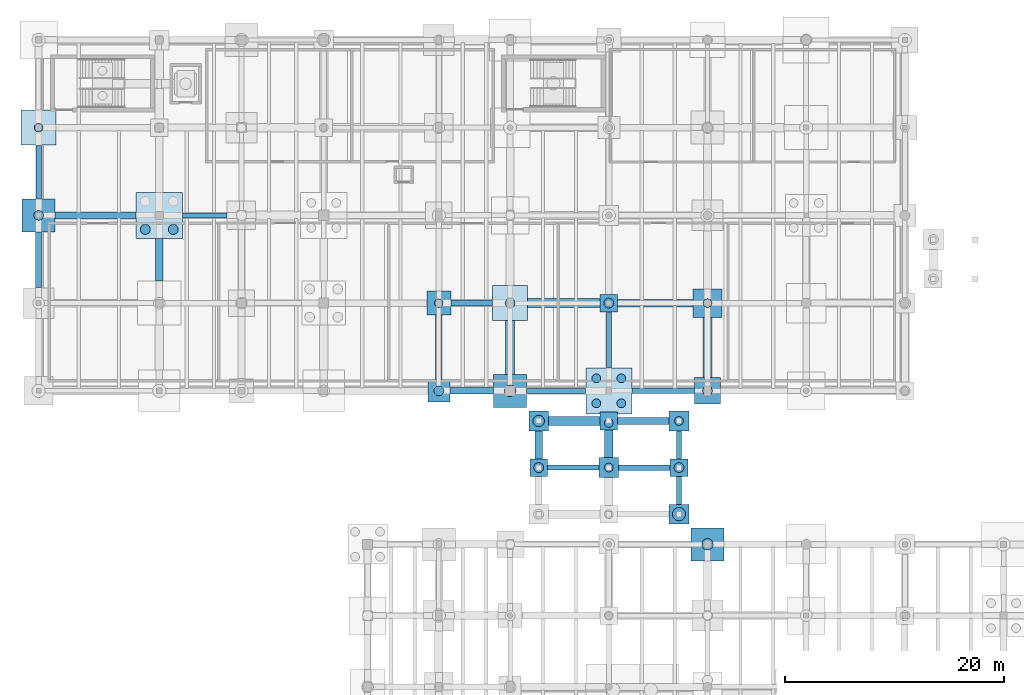
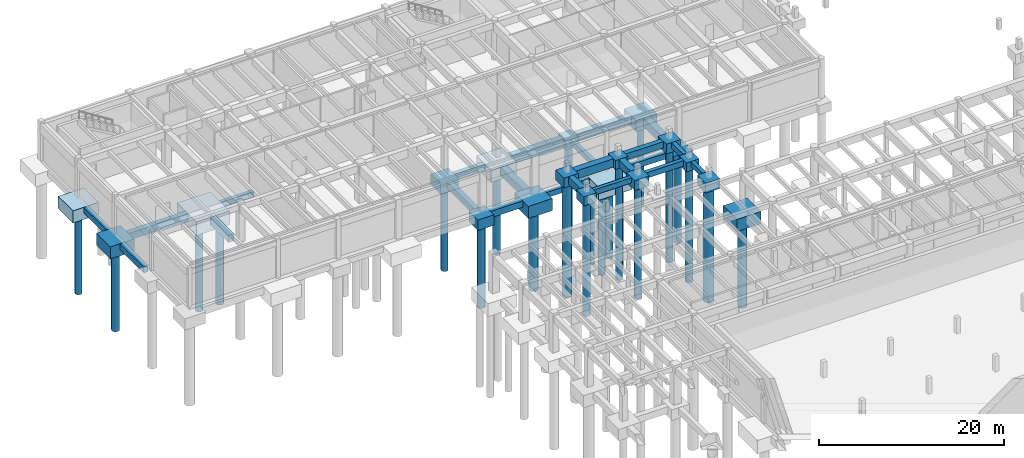
# One storey, part 8 of 36: 42 footings, 23 piles.
"""IFC4 building model written with IfcOpenShell, lengths in metres."""

from ifc_helpers import new_model, si_unit, direction, frame, origin, origin_2d, place, context, subcontext, project, spatial, polyline, circle, outline, extrude, material, material_profile, profile_set, type_object, element, save


model = new_model("IFC4")

# Units and contexts
model_context = context("Model", 3, precision=1e-05, world=origin(), true_north=direction((0.0, 1.0)))
body_context = subcontext(model_context, "Body", "Model", "MODEL_VIEW")
ifc_project = project(units=[si_unit("LENGTHUNIT", "METRE"), si_unit("AREAUNIT", "SQUARE_METRE"), si_unit("VOLUMEUNIT", "CUBIC_METRE"), si_unit("PLANEANGLEUNIT", "RADIAN"), si_unit("MASSUNIT", "GRAM", prefix="KILO"), si_unit("THERMODYNAMICTEMPERATUREUNIT", "KELVIN"), si_unit("POWERUNIT", "WATT")], contexts=[model_context])

# Site, building, storey
site_placement = place(None, origin())
site = spatial("IfcSite", under=ifc_project, at=site_placement, CompositionType="ELEMENT")
building_placement = place(site_placement, origin())
building = spatial("IfcBuilding", under=site, at=building_placement, Name="Tepalcoro Natatorium and Aquatics Centre", CompositionType="ELEMENT")
storey_placement = place(building_placement, frame((0.0, 0.0, -5.199951171875)))
storey = spatial("IfcBuildingStorey", under=building, at=storey_placement, Name="B1", CompositionType="ELEMENT", Elevation=-5.199951171875)

# Footings
ifc_material = material(Name="Concrete C40/50 (fc 40 MPa)", Category="concrete")
footing_type_1 = type_object("IfcFootingType", Name="FB_450x700", PredefinedType="FOOTING_BEAM", material=ifc_material)
footing_1_placement = place(storey_placement, frame((0.0, 0.0, -1.16015625)))
element("IfcFooting", 1, at=footing_1_placement, inside=storey, type_object=footing_type_1, Name="V4 B1 Foundation Tie Beam X", PredefinedType="FOOTING_BEAM", context=body_context, shape_type="SweptSolid", body=[
    extrude(outline(polyline([(23.10498046875, 101.77490234375), (27.195068359375, 101.77490234375), (27.195068359375, 102.22509765625), (23.10498046875, 102.22509765625), (23.10498046875, 101.77490234375)])), origin(), (0.0, 0.0, 1.0), 0.7001953125),
])
footing_2_placement = place(storey_placement, frame((0.0, 0.0, -1.16015625)))
element("IfcFooting", 2, at=footing_2_placement, inside=storey, type_object=footing_type_1, Name="V4 B1 Foundation Tie Beam X", PredefinedType="FOOTING_BEAM", context=body_context, shape_type="SweptSolid", body=[
    extrude(outline(polyline([(54.5048828125, 85.77490234375), (59.89501953125, 85.77490234375), (59.89501953125, 86.22509765625), (54.5048828125, 86.22509765625), (54.5048828125, 85.77490234375)])), origin(), (0.0, 0.0, 1.0), 0.7001953125),
])
footing_3_placement = place(storey_placement, frame((0.0, 0.0, -1.16015625)))
element("IfcFooting", 3, at=footing_3_placement, inside=storey, type_object=footing_type_1, Name="V4 B1 Foundation Tie Beam Y", PredefinedType="FOOTING_BEAM", context=body_context, shape_type="SweptSolid", body=[
    extrude(outline(polyline([(62.22509765625, 88.10498046875), (62.22509765625, 93.195068359375), (61.77490234375, 93.195068359375), (61.77490234375, 88.10498046875), (62.22509765625, 88.10498046875)])), origin(), (0.0, 0.0, 1.0), 0.7001953125),
])
footing_4_placement = place(storey_placement, frame((0.0, 0.0, 2.75)))
element("IfcFooting", 4, at=footing_4_placement, inside=storey, type_object=footing_type_1, Name="V6NW B1 Foundation Tie Beam X", PredefinedType="FOOTING_BEAM", context=body_context, shape_type="SweptSolid", body=[
    extrude(outline(polyline([(56.405029296875, 78.77490234375), (61.094970703125, 78.77490234375), (61.094970703125, 79.22509765625), (56.405029296875, 79.22509765625), (56.405029296875, 78.77490234375)])), origin(), (0.0, 0.0, 1.0), 0.699951171875),
])
footing_5_placement = place(storey_placement, frame((0.0, 0.0, 2.75)))
element("IfcFooting", 5, at=footing_5_placement, inside=storey, type_object=footing_type_1, Name="V6NW B1 Foundation Tie Beam Y", PredefinedType="FOOTING_BEAM", context=body_context, shape_type="SweptSolid", body=[
    extrude(outline(polyline([(68.625, 75.655029296875), (68.625, 78.195068359375), (68.175048828125, 78.195068359375), (68.175048828125, 75.655029296875), (68.625, 75.655029296875)])), origin(), (0.0, 0.0, 1.0), 0.699951171875),
])
footing_type_2 = type_object("IfcFootingType", Name="FB_500x750", PredefinedType="FOOTING_BEAM", material=ifc_material)
footing_6_placement = place(storey_placement, frame((0.0, 0.0, -1.2099609375)))
element("IfcFooting", 6, at=footing_6_placement, inside=storey, type_object=footing_type_2, Name="V4 B1 Foundation Tie Beam X", PredefinedType="FOOTING_BEAM", context=body_context, shape_type="SweptSolid", body=[
    extrude(outline(polyline([(64.10498046875, 85.75), (69.794921875, 85.75), (69.794921875, 86.25), (64.10498046875, 86.25), (64.10498046875, 85.75)])), origin(), (0.0, 0.0, 1.0), 0.75),
])
footing_7_placement = place(storey_placement, frame((0.0, 0.0, -1.2099609375)))
element("IfcFooting", 7, at=footing_7_placement, inside=storey, type_object=footing_type_2, Name="V4 B1 Foundation Tie Beam Y", PredefinedType="FOOTING_BEAM", context=body_context, shape_type="SweptSolid", body=[
    extrude(outline(polyline([(10.25, 103.5048828125), (10.25, 108.39501953125), (9.75, 108.39501953125), (9.75, 103.5048828125), (10.25, 103.5048828125)])), origin(), (0.0, 0.0, 1.0), 0.75),
])
footing_8_placement = place(storey_placement, frame((0.0, 0.0, 2.699951171875)))
element("IfcFooting", 8, at=footing_8_placement, inside=storey, type_object=footing_type_2, Name="V6NW B1 Foundation Tie Beam X", PredefinedType="FOOTING_BEAM", context=body_context, shape_type="SweptSolid", body=[
    extrude(outline(polyline([(62.905029296875, 78.75), (67.594970703125, 78.75), (67.594970703125, 79.25), (62.905029296875, 79.25), (62.905029296875, 78.75)])), origin(), (0.0, 0.0, 1.0), 0.75),
])
footing_9_placement = place(storey_placement, frame((0.0, 0.0, 2.699951171875)))
element("IfcFooting", 9, at=footing_9_placement, inside=storey, type_object=footing_type_2, Name="V6NW B1 Foundation Tie Beam Y", PredefinedType="FOOTING_BEAM", context=body_context, shape_type="SweptSolid", body=[
    extrude(outline(polyline([(68.64990234375, 79.804931640625), (68.64990234375, 82.344970703125), (68.14990234375, 82.344970703125), (68.14990234375, 79.804931640625), (68.64990234375, 79.804931640625)])), origin(), (0.0, 0.0, 1.0), 0.75),
])
footing_type_3 = type_object("IfcFootingType", Name="FB_550x800", PredefinedType="FOOTING_BEAM", material=ifc_material)
footing_10_placement = place(storey_placement, frame((0.0, 0.0, -1.260009765625)))
element("IfcFooting", 10, at=footing_10_placement, inside=storey, type_object=footing_type_3, Name="V4 B1 Foundation Tie Beam X", PredefinedType="FOOTING_BEAM", context=body_context, shape_type="SweptSolid", body=[
    extrude(outline(polyline([(47.60498046875, 93.72509765625), (51.39501953125, 93.72509765625), (51.39501953125, 94.27490234375), (47.60498046875, 94.27490234375), (47.60498046875, 93.72509765625)])), origin(), (0.0, 0.0, 1.0), 0.800048828125),
])
footing_11_placement = place(storey_placement, frame((0.0, 0.0, -1.260009765625)))
element("IfcFooting", 11, at=footing_11_placement, inside=storey, type_object=footing_type_3, Name="V4 B1 Foundation Tie Beam Y", PredefinedType="FOOTING_BEAM", context=body_context, shape_type="SweptSolid", body=[
    extrude(outline(polyline([(10.27490234375, 95.405029296875), (10.27490234375, 100.4951171875), (9.72509765625, 100.4951171875), (9.72509765625, 95.405029296875), (10.27490234375, 95.405029296875)])), origin(), (0.0, 0.0, 1.0), 0.800048828125),
])
footing_type_4 = type_object("IfcFootingType", Name="FB_600x850", PredefinedType="FOOTING_BEAM", material=ifc_material)
footing_12_placement = place(storey_placement, frame((0.0, 0.0, -1.31005859375)))
element("IfcFooting", 12, at=footing_12_placement, inside=storey, type_object=footing_type_4, Name="V4 B1 Foundation Tie Beam X", PredefinedType="FOOTING_BEAM", context=body_context, shape_type="SweptSolid", body=[
    extrude(outline(polyline([(47.5048828125, 85.699951171875), (51.4951171875, 85.699951171875), (51.4951171875, 86.300048828125), (47.5048828125, 86.300048828125), (47.5048828125, 85.699951171875)])), origin(), (0.0, 0.0, 1.0), 0.85009765625),
])
footing_13_placement = place(storey_placement, frame((0.0, 0.0, -1.31005859375)))
element("IfcFooting", 13, at=footing_13_placement, inside=storey, type_object=footing_type_4, Name="V4 B1 Foundation Tie Beam Y", PredefinedType="FOOTING_BEAM", context=body_context, shape_type="SweptSolid", body=[
    extrude(outline(polyline([(46.800048828125, 87.0048828125), (46.800048828125, 92.89501953125), (46.199951171875, 92.89501953125), (46.199951171875, 87.0048828125), (46.800048828125, 87.0048828125)])), origin(), (0.0, 0.0, 1.0), 0.85009765625),
])
footing_14_placement = place(storey_placement, frame((0.0, 0.0, 2.599853515625)))
element("IfcFooting", 14, at=footing_14_placement, inside=storey, type_object=footing_type_4, Name="V6NW B1 Foundation Tie Beam X", PredefinedType="FOOTING_BEAM", context=body_context, shape_type="SweptSolid", body=[
    extrude(outline(polyline([(62.804931640625, 82.949951171875), (67.4951171875, 82.949951171875), (67.4951171875, 83.550048828125), (62.804931640625, 83.550048828125), (62.804931640625, 82.949951171875)])), origin(), (0.0, 0.0, 1.0), 0.85009765625),
])
footing_type_5 = type_object("IfcFootingType", Name="FB_650x900", PredefinedType="FOOTING_BEAM", material=ifc_material)
footing_15_placement = place(storey_placement, frame((0.0, 0.0, -1.360107421875)))
element("IfcFooting", 15, at=footing_15_placement, inside=storey, type_object=footing_type_5, Name="V4 B1 Foundation Tie Beam X", PredefinedType="FOOTING_BEAM", context=body_context, shape_type="SweptSolid", body=[
    extrude(outline(polyline([(11.5048828125, 101.675048828125), (18.89501953125, 101.675048828125), (18.89501953125, 102.324951171875), (11.5048828125, 102.324951171875), (11.5048828125, 101.675048828125)])), origin(), (0.0, 0.0, 1.0), 0.900146484375),
])
footing_type_6 = type_object("IfcFootingType", Name="FB_700x950", PredefinedType="FOOTING_BEAM", material=ifc_material)
footing_16_placement = place(storey_placement, frame((0.0, 0.0, -1.41015625)))
element("IfcFooting", 16, at=footing_16_placement, inside=storey, type_object=footing_type_6, Name="V4 B1 Foundation Tie Beam X", PredefinedType="FOOTING_BEAM", context=body_context, shape_type="SweptSolid", body=[
    extrude(outline(polyline([(62.804931640625, 93.64990234375), (69.695068359375, 93.64990234375), (69.695068359375, 94.35009765625), (62.804931640625, 94.35009765625), (62.804931640625, 93.64990234375)])), origin(), (0.0, 0.0, 1.0), 0.9501953125),
])
footing_17_placement = place(storey_placement, frame((0.0, 0.0, -1.41015625)))
element("IfcFooting", 17, at=footing_17_placement, inside=storey, type_object=footing_type_6, Name="V4 B1 Foundation Tie Beam Y", PredefinedType="FOOTING_BEAM", context=body_context, shape_type="SweptSolid", body=[
    extrude(outline(polyline([(21.35009765625, 96.0048828125), (21.35009765625, 99.89501953125), (20.64990234375, 99.89501953125), (20.64990234375, 96.0048828125), (21.35009765625, 96.0048828125)])), origin(), (0.0, 0.0, 1.0), 0.9501953125),
])
footing_18_placement = place(storey_placement, frame((0.0, 0.0, 2.5)))
element("IfcFooting", 18, at=footing_18_placement, inside=storey, type_object=footing_type_6, Name="V6NW B1 Foundation Tie Beam Y", PredefinedType="FOOTING_BEAM", context=body_context, shape_type="SweptSolid", body=[
    extrude(outline(polyline([(55.949951171875, 79.804931640625), (55.949951171875, 82.344970703125), (55.25, 82.344970703125), (55.25, 79.804931640625), (55.949951171875, 79.804931640625)])), origin(), (0.0, 0.0, 1.0), 0.949951171875),
])
footing_type_7 = type_object("IfcFootingType", Name="FB_750x1000", PredefinedType="FOOTING_BEAM", material=ifc_material)
footing_19_placement = place(storey_placement, frame((0.0, 0.0, 2.449951171875)))
element("IfcFooting", 19, at=footing_19_placement, inside=storey, type_object=footing_type_7, Name="V6NW B1 Foundation Tie Beam Y", PredefinedType="FOOTING_BEAM", context=body_context, shape_type="SweptSolid", body=[
    extrude(outline(polyline([(62.375, 79.905029296875), (62.375, 82.445068359375), (61.625, 82.445068359375), (61.625, 79.905029296875), (62.375, 79.905029296875)])), origin(), (0.0, 0.0, 1.0), 1.0),
])
footing_type_8 = type_object("IfcFootingType", Name="FB_800x1100", PredefinedType="FOOTING_BEAM", material=ifc_material)
footing_20_placement = place(storey_placement, frame((0.0, 0.0, -1.56005859375)))
element("IfcFooting", 20, at=footing_20_placement, inside=storey, type_object=footing_type_8, Name="V4 B1 Foundation Tie Beam X", PredefinedType="FOOTING_BEAM", context=body_context, shape_type="SweptSolid", body=[
    extrude(outline(polyline([(54.60498046875, 93.60009765625), (61.195068359375, 93.60009765625), (61.195068359375, 94.39990234375), (54.60498046875, 94.39990234375), (54.60498046875, 93.60009765625)])), origin(), (0.0, 0.0, 1.0), 1.10009765625),
])
footing_21_placement = place(storey_placement, frame((0.0, 0.0, -1.56005859375)))
element("IfcFooting", 21, at=footing_21_placement, inside=storey, type_object=footing_type_8, Name="V4 B1 Foundation Tie Beam Y", PredefinedType="FOOTING_BEAM", context=body_context, shape_type="SweptSolid", body=[
    extrude(outline(polyline([(53.39990234375, 87.5048828125), (53.39990234375, 92.39501953125), (52.60009765625, 92.39501953125), (52.60009765625, 87.5048828125), (53.39990234375, 87.5048828125)])), origin(), (0.0, 0.0, 1.0), 1.10009765625),
])
footing_22_placement = place(storey_placement, frame((0.0, 0.0, -1.56005859375)))
element("IfcFooting", 22, at=footing_22_placement, inside=storey, type_object=footing_type_8, Name="V4 B1 Foundation Tie Beam Y", PredefinedType="FOOTING_BEAM", context=body_context, shape_type="SweptSolid", body=[
    extrude(outline(polyline([(71.39990234375, 87.205078125), (71.39990234375, 92.695068359375), (70.60009765625, 92.695068359375), (70.60009765625, 87.205078125), (71.39990234375, 87.205078125)])), origin(), (0.0, 0.0, 1.0), 1.10009765625),
])
footing_23_placement = place(storey_placement, frame((0.0, 0.0, 2.349853515625)))
element("IfcFooting", 23, at=footing_23_placement, inside=storey, type_object=footing_type_8, Name="V6NW B1 Foundation Tie Beam X", PredefinedType="FOOTING_BEAM", context=body_context, shape_type="SweptSolid", body=[
    extrude(outline(polyline([(56.5048828125, 82.85009765625), (61.195068359375, 82.85009765625), (61.195068359375, 83.64990234375), (56.5048828125, 83.64990234375), (56.5048828125, 82.85009765625)])), origin(), (0.0, 0.0, 1.0), 1.10009765625),
])
footing_type_9 = type_object("IfcFootingType", Name="PC_1600x1600x1200", PredefinedType="PILE_CAP", material=ifc_material)
footing_24_placement = place(storey_placement, frame((0.0, 0.0, -1.66015625)))
element("IfcFooting", 24, at=footing_24_placement, inside=storey, type_object=footing_type_9, Name="V4 Reinforced Concrete Pile Cap 209", PredefinedType="PILE_CAP", context=body_context, shape_type="SweptSolid", body=[
    extrude(outline(polyline([(61.199951171875, 93.199951171875), (62.800048828125, 93.199951171875), (62.800048828125, 94.800048828125), (61.199951171875, 94.800048828125), (61.199951171875, 93.199951171875)])), origin(), (0.0, 0.0, 1.0), 1.2001953125),
])
footing_25_placement = place(storey_placement, frame((0.0, 0.0, 2.25)))
element("IfcFooting", 25, at=footing_25_placement, inside=storey, type_object=footing_type_9, Name="V6NW Reinforced Concrete Pile Cap 332", PredefinedType="PILE_CAP", context=body_context, shape_type="SweptSolid", body=[
    extrude(outline(polyline([(54.800048828125, 78.199951171875), (56.39990234375, 78.199951171875), (56.39990234375, 79.800048828125), (54.800048828125, 79.800048828125), (54.800048828125, 78.199951171875)])), origin(), (0.0, 0.0, 1.0), 1.199951171875),
])
footing_26_placement = place(storey_placement, frame((0.0, 0.0, 2.25)))
element("IfcFooting", 26, at=footing_26_placement, inside=storey, type_object=footing_type_9, Name="V6NW Reinforced Concrete Pile Cap 335", PredefinedType="PILE_CAP", context=body_context, shape_type="SweptSolid", body=[
    extrude(outline(polyline([(61.199951171875, 82.449951171875), (62.800048828125, 82.449951171875), (62.800048828125, 84.050048828125), (61.199951171875, 84.050048828125), (61.199951171875, 82.449951171875)])), origin(), (0.0, 0.0, 1.0), 1.199951171875),
])
footing_27_placement = place(storey_placement, frame((0.0, 0.0, 2.25)))
element("IfcFooting", 27, at=footing_27_placement, inside=storey, type_object=footing_type_9, Name="V6NW Reinforced Concrete Pile Cap 338", PredefinedType="PILE_CAP", context=body_context, shape_type="SweptSolid", body=[
    extrude(outline(polyline([(67.60009765625, 78.199951171875), (69.199951171875, 78.199951171875), (69.199951171875, 79.800048828125), (67.60009765625, 79.800048828125), (67.60009765625, 78.199951171875)])), origin(), (0.0, 0.0, 1.0), 1.199951171875),
])
footing_type_10 = type_object("IfcFootingType", Name="PC_1800x1800x1300", PredefinedType="PILE_CAP", material=ifc_material)
footing_28_placement = place(storey_placement, frame((0.0, 0.0, 2.14990234375)))
element("IfcFooting", 28, at=footing_28_placement, inside=storey, type_object=footing_type_10, Name="V6NW Reinforced Concrete Pile Cap 331", PredefinedType="PILE_CAP", context=body_context, shape_type="SweptSolid", body=[
    extrude(outline(polyline([(54.699951171875, 82.35009765625), (56.5, 82.35009765625), (56.5, 84.14990234375), (54.699951171875, 84.14990234375), (54.699951171875, 82.35009765625)])), origin(), (0.0, 0.0, 1.0), 1.300048828125),
])
footing_29_placement = place(storey_placement, frame((0.0, 0.0, 2.14990234375)))
element("IfcFooting", 29, at=footing_29_placement, inside=storey, type_object=footing_type_10, Name="V6NW Reinforced Concrete Pile Cap 333", PredefinedType="PILE_CAP", context=body_context, shape_type="SweptSolid", body=[
    extrude(outline(polyline([(61.10009765625, 78.10009765625), (62.89990234375, 78.10009765625), (62.89990234375, 79.89990234375), (61.10009765625, 79.89990234375), (61.10009765625, 78.10009765625)])), origin(), (0.0, 0.0, 1.0), 1.300048828125),
])
footing_30_placement = place(storey_placement, frame((0.0, 0.0, 2.14990234375)))
element("IfcFooting", 30, at=footing_30_placement, inside=storey, type_object=footing_type_10, Name="V6NW Reinforced Concrete Pile Cap 336", PredefinedType="PILE_CAP", context=body_context, shape_type="SweptSolid", body=[
    extrude(outline(polyline([(67.5, 73.85009765625), (69.300048828125, 73.85009765625), (69.300048828125, 75.64990234375), (67.5, 75.64990234375), (67.5, 73.85009765625)])), origin(), (0.0, 0.0, 1.0), 1.300048828125),
])
footing_31_placement = place(storey_placement, frame((0.0, 0.0, 2.14990234375)))
element("IfcFooting", 31, at=footing_31_placement, inside=storey, type_object=footing_type_10, Name="V6NW Reinforced Concrete Pile Cap 337", PredefinedType="PILE_CAP", context=body_context, shape_type="SweptSolid", body=[
    extrude(outline(polyline([(67.5, 82.35009765625), (69.300048828125, 82.35009765625), (69.300048828125, 84.14990234375), (67.5, 84.14990234375), (67.5, 82.35009765625)])), origin(), (0.0, 0.0, 1.0), 1.300048828125),
])
footing_type_11 = type_object("IfcFootingType", Name="PC_2000x2000x1400", PredefinedType="PILE_CAP", material=ifc_material)
footing_32_placement = place(storey_placement, frame((0.0, 0.0, -1.860107421875)))
element("IfcFooting", 32, at=footing_32_placement, inside=storey, type_object=footing_type_11, Name="V4 Reinforced Concrete Pile Cap 198", PredefinedType="PILE_CAP", context=body_context, shape_type="SweptSolid", body=[
    extrude(outline(polyline([(45.5, 85.0), (47.5, 85.0), (47.5, 87.0), (45.5, 87.0), (45.5, 85.0)])), origin(), (0.0, 0.0, 1.0), 1.400146484375),
])
footing_type_12 = type_object("IfcFootingType", Name="PC_2200x2200x1400", PredefinedType="PILE_CAP", material=ifc_material)
footing_33_placement = place(storey_placement, frame((0.0, 0.0, -1.860107421875)))
element("IfcFooting", 33, at=footing_33_placement, inside=storey, type_object=footing_type_12, Name="V4 Reinforced Concrete Pile Cap 197", PredefinedType="PILE_CAP", context=body_context, shape_type="SweptSolid", body=[
    extrude(outline(polyline([(45.39990234375, 92.89990234375), (47.60009765625, 92.89990234375), (47.60009765625, 95.10009765625), (45.39990234375, 95.10009765625), (45.39990234375, 92.89990234375)])), origin(), (0.0, 0.0, 1.0), 1.400146484375),
])
footing_type_13 = type_object("IfcFootingType", Name="PC_2400x2400x1500", PredefinedType="PILE_CAP", material=ifc_material)
footing_34_placement = place(storey_placement, frame((0.0, 0.0, -1.9599609375)))
element("IfcFooting", 34, at=footing_34_placement, inside=storey, type_object=footing_type_13, Name="V4 Reinforced Concrete Pile Cap 214", PredefinedType="PILE_CAP", context=body_context, shape_type="SweptSolid", body=[
    extrude(outline(polyline([(69.800048828125, 84.800048828125), (72.199951171875, 84.800048828125), (72.199951171875, 87.199951171875), (69.800048828125, 87.199951171875), (69.800048828125, 84.800048828125)])), origin(), (0.0, 0.0, 1.0), 1.5),
])
footing_type_14 = type_object("IfcFootingType", Name="PC_2600x2600x1500", PredefinedType="PILE_CAP", material=ifc_material)
footing_35_placement = place(storey_placement, frame((0.0, 0.0, -1.9599609375)))
element("IfcFooting", 35, at=footing_35_placement, inside=storey, type_object=footing_type_14, Name="V4 Reinforced Concrete Pile Cap 213", PredefinedType="PILE_CAP", context=body_context, shape_type="SweptSolid", body=[
    extrude(outline(polyline([(69.699951171875, 92.699951171875), (72.300048828125, 92.699951171875), (72.300048828125, 95.300048828125), (69.699951171875, 95.300048828125), (69.699951171875, 92.699951171875)])), origin(), (0.0, 0.0, 1.0), 1.5),
])
footing_type_15 = type_object("IfcFootingType", Name="PC_3000x3000x1600", PredefinedType="PILE_CAP", material=ifc_material)
footing_36_placement = place(storey_placement, frame((0.0, 0.0, -1.60009765625)))
element("IfcFooting", 36, at=footing_36_placement, inside=storey, type_object=footing_type_15, Name="V1 Reinforced Concrete Pile Cap 47", PredefinedType="PILE_CAP", context=body_context, shape_type="SweptSolid", body=[
    extrude(outline(polyline([(69.5, 70.5), (72.5, 70.5), (72.5, 73.5), (69.5, 73.5), (69.5, 70.5)])), origin(), (0.0, 0.0, 1.0), 1.60009765625),
])
footing_37_placement = place(storey_placement, frame((0.0, 0.0, -2.06005859375)))
element("IfcFooting", 37, at=footing_37_placement, inside=storey, type_object=footing_type_15, Name="V4 Reinforced Concrete Pile Cap 174", PredefinedType="PILE_CAP", context=body_context, shape_type="SweptSolid", body=[
    extrude(outline(polyline([(8.5, 100.5), (11.5, 100.5), (11.5, 103.5), (8.5, 103.5), (8.5, 100.5)])), origin(), (0.0, 0.0, 1.0), 1.60009765625),
])
footing_38_placement = place(storey_placement, frame((0.0, 0.0, -2.06005859375)))
element("IfcFooting", 38, at=footing_38_placement, inside=storey, type_object=footing_type_15, Name="V4 Reinforced Concrete Pile Cap 203", PredefinedType="PILE_CAP", context=body_context, shape_type="SweptSolid", body=[
    extrude(outline(polyline([(51.5, 84.5), (54.5, 84.5), (54.5, 87.5), (51.5, 87.5), (51.5, 84.5)])), origin(), (0.0, 0.0, 1.0), 1.60009765625),
])
footing_type_16 = type_object("IfcFootingType", Name="PC_3200x3200x1600", PredefinedType="PILE_CAP", material=ifc_material)
footing_39_placement = place(storey_placement, frame((0.0, 0.0, -2.06005859375)))
element("IfcFooting", 39, at=footing_39_placement, inside=storey, type_object=footing_type_16, Name="V4 Reinforced Concrete Pile Cap 173", PredefinedType="PILE_CAP", context=body_context, shape_type="SweptSolid", body=[
    extrude(outline(polyline([(8.39990234375, 108.39990234375), (11.60009765625, 108.39990234375), (11.60009765625, 111.60009765625), (8.39990234375, 111.60009765625), (8.39990234375, 108.39990234375)])), origin(), (0.0, 0.0, 1.0), 1.60009765625),
])
footing_40_placement = place(storey_placement, frame((0.0, 0.0, -2.06005859375)))
element("IfcFooting", 40, at=footing_40_placement, inside=storey, type_object=footing_type_16, Name="V4 Reinforced Concrete Pile Cap 202", PredefinedType="PILE_CAP", context=body_context, shape_type="SweptSolid", body=[
    extrude(outline(polyline([(51.39990234375, 92.39990234375), (54.60009765625, 92.39990234375), (54.60009765625, 95.60009765625), (51.39990234375, 95.60009765625), (51.39990234375, 92.39990234375)])), origin(), (0.0, 0.0, 1.0), 1.60009765625),
])
footing_type_17 = type_object("IfcFootingType", Name="PC_4200x4200x1800", PredefinedType="PILE_CAP", material=ifc_material)
footing_41_placement = place(storey_placement, frame((0.0, 0.0, -2.260009765625)))
element("IfcFooting", 41, at=footing_41_placement, inside=storey, type_object=footing_type_17, Name="V4 Reinforced Concrete Pile Cap 178", PredefinedType="PILE_CAP", context=body_context, shape_type="SweptSolid", body=[
    extrude(outline(polyline([(18.89990234375, 99.89990234375), (23.10009765625, 99.89990234375), (23.10009765625, 104.10009765625), (18.89990234375, 104.10009765625), (18.89990234375, 99.89990234375)])), origin(), (0.0, 0.0, 1.0), 1.800048828125),
])
footing_42_placement = place(storey_placement, frame((0.0, 0.0, -2.260009765625)))
element("IfcFooting", 42, at=footing_42_placement, inside=storey, type_object=footing_type_17, Name="V4 Reinforced Concrete Pile Cap 205", PredefinedType="PILE_CAP", context=body_context, shape_type="SweptSolid", body=[
    extrude(outline(polyline([(59.89990234375, 83.89990234375), (64.10009765625, 83.89990234375), (64.10009765625, 88.10009765625), (59.89990234375, 88.10009765625), (59.89990234375, 83.89990234375)])), origin(), (0.0, 0.0, 1.0), 1.800048828125),
])

# Piles
ifc_material_profile_1 = material_profile(ifc_material, circle(Radius=0.52490234375, at=origin_2d()), Name="PILE_D1050")
ifc_profile_set_1 = profile_set([ifc_material_profile_1], Name="Concrete C40/50 (fc 40 MPa)")
pile_type_1 = type_object("IfcPileType", Name="PILE_D1050", PredefinedType="BORED", material=ifc_profile_set_1)
pile_1_placement = place(storey_placement, frame((71.0, 72.0, -1.5), z_axis=(0.0, 0.0, -1.0), x_axis=(1.0, 0.0, 0.0)))
element("IfcPile", 43, at=pile_1_placement, inside=storey, type_object=pile_type_1, Name="Bored Pile PILE_D1050 under PC_V1_0046", PredefinedType="BORED", context=body_context, shape_type="SweptSolid", body=[
    extrude(circle(Radius=0.52490234375, at=origin_2d()), origin(), (0.0, 0.0, 1.0), 11.300048828125),
])
pile_2_placement = place(storey_placement, frame((53.0, 86.0, -1.9599609375), z_axis=(0.0, 0.0, -1.0), x_axis=(1.0, 0.0, 0.0)))
element("IfcPile", 44, at=pile_2_placement, inside=storey, type_object=pile_type_1, Name="Bored Pile PILE_D1050 under PC_V4_0202", PredefinedType="BORED", context=body_context, shape_type="SweptSolid", body=[
    extrude(circle(Radius=0.52490234375, at=origin_2d()), origin(), (0.0, 0.0, 1.0), 10.840087890625),
])
pile_3_placement = place(storey_placement, frame((55.60009765625, 83.25, 2.25), z_axis=(0.0, 0.0, -1.0), x_axis=(1.0, 0.0, 0.0)))
element("IfcPile", 45, at=pile_3_placement, inside=storey, type_object=pile_type_1, Name="Bored Pile PILE_D1050 under PC_V6NW_0330", PredefinedType="BORED", context=body_context, shape_type="SweptSolid", body=[
    extrude(circle(Radius=0.52490234375, at=origin_2d()), origin(), (0.0, 0.0, 1.0), 15.050048828125),
])
ifc_material_profile_2 = material_profile(ifc_material, circle(Radius=0.60009765625, at=origin_2d()), Name="PILE_D1200")
ifc_profile_set_2 = profile_set([ifc_material_profile_2], Name="Concrete C40/50 (fc 40 MPa)")
pile_type_2 = type_object("IfcPileType", Name="PILE_D1200", PredefinedType="BORED", material=ifc_profile_set_2)
pile_4_placement = place(storey_placement, frame((68.39990234375, 74.75, 2.25), z_axis=(0.0, 0.0, -1.0), x_axis=(1.0, 0.0, 0.0)))
element("IfcPile", 46, at=pile_4_placement, inside=storey, type_object=pile_type_2, Name="Bored Pile PILE_D1200 under PC_V6NW_0335", PredefinedType="BORED", context=body_context, shape_type="SweptSolid", body=[
    extrude(circle(Radius=0.60009765625, at=origin_2d()), origin(), (0.0, 0.0, 1.0), 15.050048828125),
])
ifc_material_profile_3 = material_profile(ifc_material, circle(Radius=0.39990234375, at=origin_2d()), Name="PILE_D800")
ifc_profile_set_3 = profile_set([ifc_material_profile_3], Name="Concrete C40/50 (fc 40 MPa)")
pile_type_3 = type_object("IfcPileType", Name="PILE_D800", PredefinedType="BORED", material=ifc_profile_set_3)
pile_5_placement = place(storey_placement, frame((10.0, 110.0, -1.9599609375), z_axis=(0.0, 0.0, -1.0), x_axis=(1.0, 0.0, 0.0)))
element("IfcPile", 47, at=pile_5_placement, inside=storey, type_object=pile_type_3, Name="Bored Pile PILE_D800 under PC_V4_0172", PredefinedType="BORED", context=body_context, shape_type="SweptSolid", body=[
    extrude(circle(Radius=0.39990234375, at=origin_2d()), origin(), (0.0, 0.0, 1.0), 10.840087890625),
])
pile_6_placement = place(storey_placement, frame((46.5, 94.0, -1.760009765625), z_axis=(0.0, 0.0, -1.0), x_axis=(1.0, 0.0, 0.0)))
element("IfcPile", 48, at=pile_6_placement, inside=storey, type_object=pile_type_3, Name="Bored Pile PILE_D800 under PC_V4_0196", PredefinedType="BORED", context=body_context, shape_type="SweptSolid", body=[
    extrude(circle(Radius=0.39990234375, at=origin_2d()), origin(), (0.0, 0.0, 1.0), 11.0400390625),
])
for number, where, z_axis, x_axis, name in (
    (49, (60.860107421875, 84.860107421875, -2.16015625), (0.0, 0.0, -1.0), (1.0, 0.0, 0.0), "Bored Pile PILE_D800 under PC_V4_0204"),
    (50, (60.860107421875, 87.139892578125, -2.16015625), (0.0, 0.0, -1.0), (1.0, 0.0, 0.0), "Bored Pile PILE_D800 under PC_V4_0204"),
    (51, (63.139892578125, 84.860107421875, -2.16015625), (0.0, 0.0, -1.0), (1.0, 0.0, 0.0), "Bored Pile PILE_D800 under PC_V4_0204"),
    (52, (63.139892578125, 87.139892578125, -2.16015625), (0.0, 0.0, -1.0), (1.0, 0.0, 0.0), "Bored Pile PILE_D800 under PC_V4_0204"),
):
    element("IfcPile", number, at=place(storey_placement, frame(where, z_axis=z_axis, x_axis=x_axis)), inside=storey, type_object=pile_type_3, Name=name, PredefinedType="BORED", context=body_context, shape_type="SweptSolid", body=[
        extrude(circle(Radius=0.39990234375, at=origin_2d()), origin(), (0.0, 0.0, 1.0), 10.639892578125),
    ])
pile_7_placement = place(storey_placement, frame((71.0, 94.0, -1.860107421875), z_axis=(0.0, 0.0, -1.0), x_axis=(1.0, 0.0, 0.0)))
element("IfcPile", 53, at=pile_7_placement, inside=storey, type_object=pile_type_3, Name="Bored Pile PILE_D800 under PC_V4_0212", PredefinedType="BORED", context=body_context, shape_type="SweptSolid", body=[
    extrude(circle(Radius=0.39990234375, at=origin_2d()), origin(), (0.0, 0.0, 1.0), 10.93994140625),
])
pile_8_placement = place(storey_placement, frame((62.0, 79.0, 2.25), z_axis=(0.0, 0.0, -1.0), x_axis=(1.0, 0.0, 0.0)))
element("IfcPile", 54, at=pile_8_placement, inside=storey, type_object=pile_type_3, Name="Bored Pile PILE_D800 under PC_V6NW_0332", PredefinedType="BORED", context=body_context, shape_type="SweptSolid", body=[
    extrude(circle(Radius=0.39990234375, at=origin_2d()), origin(), (0.0, 0.0, 1.0), 15.050048828125),
])
pile_9_placement = place(storey_placement, frame((62.0, 83.070068359375, 2.349853515625), z_axis=(0.0, 0.0, -1.0), x_axis=(1.0, 0.0, 0.0)))
element("IfcPile", 55, at=pile_9_placement, inside=storey, type_object=pile_type_3, Name="Bored Pile PILE_D800 under PC_V6NW_0334", PredefinedType="BORED", context=body_context, shape_type="SweptSolid", body=[
    extrude(circle(Radius=0.39990234375, at=origin_2d()), origin(), (0.0, 0.0, 1.0), 15.14990234375),
])
pile_10_placement = place(storey_placement, frame((68.39990234375, 83.25, 2.25), z_axis=(0.0, 0.0, -1.0), x_axis=(1.0, 0.0, 0.0)))
element("IfcPile", 56, at=pile_10_placement, inside=storey, type_object=pile_type_3, Name="Bored Pile PILE_D800 under PC_V6NW_0336", PredefinedType="BORED", context=body_context, shape_type="SweptSolid", body=[
    extrude(circle(Radius=0.39990234375, at=origin_2d()), origin(), (0.0, 0.0, 1.0), 15.050048828125),
])
ifc_material_profile_4 = material_profile(ifc_material, circle(Radius=0.449951171875, at=origin_2d()), Name="PILE_D900")
ifc_profile_set_4 = profile_set([ifc_material_profile_4], Name="Concrete C40/50 (fc 40 MPa)")
pile_type_4 = type_object("IfcPileType", Name="PILE_D900", PredefinedType="BORED", material=ifc_profile_set_4)
pile_11_placement = place(storey_placement, frame((10.0, 102.0, -1.9599609375), z_axis=(0.0, 0.0, -1.0), x_axis=(1.0, 0.0, 0.0)))
element("IfcPile", 57, at=pile_11_placement, inside=storey, type_object=pile_type_4, Name="Bored Pile PILE_D900 under PC_V4_0173", PredefinedType="BORED", context=body_context, shape_type="SweptSolid", body=[
    extrude(circle(Radius=0.449951171875, at=origin_2d()), origin(), (0.0, 0.0, 1.0), 10.840087890625),
])
for number, where, z_axis, x_axis, name in (
    (58, (19.717529296875, 100.717529296875, -2.16015625), (0.0, 0.0, -1.0), (1.0, 0.0, 0.0), "Bored Pile PILE_D900 under PC_V4_0177"),
    (59, (22.282470703125, 100.717529296875, -2.16015625), (0.0, 0.0, -1.0), (1.0, 0.0, 0.0), "Bored Pile PILE_D900 under PC_V4_0177"),
):
    element("IfcPile", number, at=place(storey_placement, frame(where, z_axis=z_axis, x_axis=x_axis)), inside=storey, type_object=pile_type_4, Name=name, PredefinedType="BORED", context=body_context, shape_type="SweptSolid", body=[
        extrude(circle(Radius=0.449951171875, at=origin_2d()), origin(), (0.0, 0.0, 1.0), 10.639892578125),
    ])
pile_12_placement = place(storey_placement, frame((46.5, 86.0, -1.760009765625), z_axis=(0.0, 0.0, -1.0), x_axis=(1.0, 0.0, 0.0)))
element("IfcPile", 60, at=pile_12_placement, inside=storey, type_object=pile_type_4, Name="Bored Pile PILE_D900 under PC_V4_0197", PredefinedType="BORED", context=body_context, shape_type="SweptSolid", body=[
    extrude(circle(Radius=0.449951171875, at=origin_2d()), origin(), (0.0, 0.0, 1.0), 11.0400390625),
])
pile_13_placement = place(storey_placement, frame((53.0, 94.0, -1.9599609375), z_axis=(0.0, 0.0, -1.0), x_axis=(1.0, 0.0, 0.0)))
element("IfcPile", 61, at=pile_13_placement, inside=storey, type_object=pile_type_4, Name="Bored Pile PILE_D900 under PC_V4_0201", PredefinedType="BORED", context=body_context, shape_type="SweptSolid", body=[
    extrude(circle(Radius=0.449951171875, at=origin_2d()), origin(), (0.0, 0.0, 1.0), 10.840087890625),
])
pile_14_placement = place(storey_placement, frame((62.0, 94.0, -1.56005859375), z_axis=(0.0, 0.0, -1.0), x_axis=(1.0, 0.0, 0.0)))
element("IfcPile", 62, at=pile_14_placement, inside=storey, type_object=pile_type_4, Name="Bored Pile PILE_D900 under PC_V4_0208", PredefinedType="BORED", context=body_context, shape_type="SweptSolid", body=[
    extrude(circle(Radius=0.449951171875, at=origin_2d()), origin(), (0.0, 0.0, 1.0), 11.239990234375),
])
pile_15_placement = place(storey_placement, frame((71.0, 86.0, -1.860107421875), z_axis=(0.0, 0.0, -1.0), x_axis=(1.0, 0.0, 0.0)))
element("IfcPile", 63, at=pile_15_placement, inside=storey, type_object=pile_type_4, Name="Bored Pile PILE_D900 under PC_V4_0213", PredefinedType="BORED", context=body_context, shape_type="SweptSolid", body=[
    extrude(circle(Radius=0.449951171875, at=origin_2d()), origin(), (0.0, 0.0, 1.0), 10.93994140625),
])
for number, where, z_axis, x_axis, name in (
    (64, (55.60009765625, 79.0, 2.349853515625), (0.0, 0.0, -1.0), (1.0, 0.0, 0.0), "Bored Pile PILE_D900 under PC_V6NW_0331"),
    (65, (68.39990234375, 79.0, 2.349853515625), (0.0, 0.0, -1.0), (1.0, 0.0, 0.0), "Bored Pile PILE_D900 under PC_V6NW_0337"),
):
    element("IfcPile", number, at=place(storey_placement, frame(where, z_axis=z_axis, x_axis=x_axis)), inside=storey, type_object=pile_type_4, Name=name, PredefinedType="BORED", context=body_context, shape_type="SweptSolid", body=[
        extrude(circle(Radius=0.449951171875, at=origin_2d()), origin(), (0.0, 0.0, 1.0), 15.14990234375),
    ])

save(model, "model.ifc")
